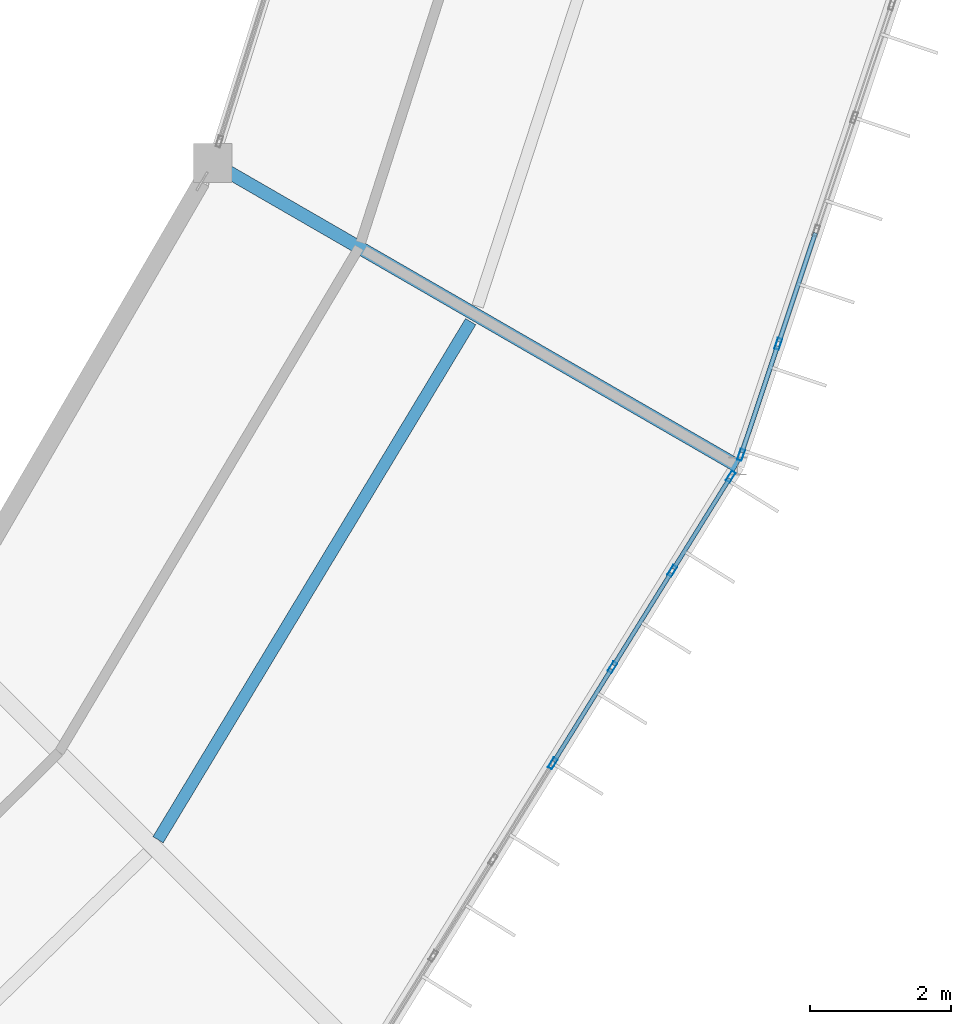
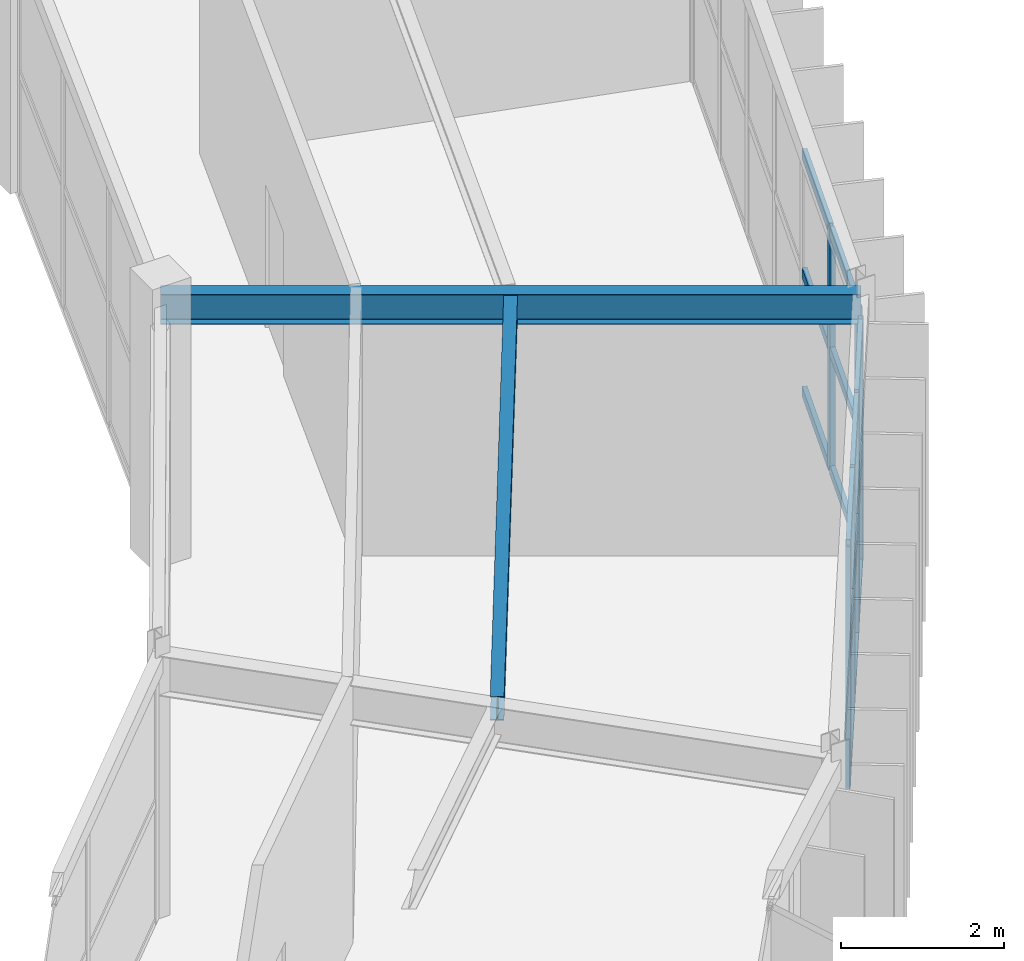
# One storey, part 63 of 157: 21 members, 2 beams, 2 elements without a shape of their own.
"""IFC4 building model written with IfcOpenShell, lengths in metres."""

from ifc_helpers import new_model, si_unit, direction, frame, origin, origin_2d, place, context, subcontext, project, spatial, hollow_rectangle, i_section, extrude, material, material_profile, profile_set, type_object, element, aggregate, save


model = new_model("IFC4")

# Units and contexts
model_context = context("Model", 3, precision=1e-05, world=origin(), true_north=direction((0.0, 1.0)))
body_context = subcontext(model_context, "Body", "Model", "MODEL_VIEW")
ifc_project = project(units=[si_unit("LENGTHUNIT", "METRE"), si_unit("AREAUNIT", "SQUARE_METRE"), si_unit("VOLUMEUNIT", "CUBIC_METRE"), si_unit("PLANEANGLEUNIT", "RADIAN"), si_unit("MASSUNIT", "GRAM", prefix="KILO")], contexts=[model_context])

# Site, building, storey
site_placement = place(None, origin())
site = spatial("IfcSite", under=ifc_project, at=site_placement, CompositionType="ELEMENT")
building_placement = place(site_placement, origin())
building = spatial("IfcBuilding", under=site, at=building_placement, Name="Karori Crest Natural Sciences Institute", CompositionType="ELEMENT")
storey_placement = place(building_placement, frame((0.0, 0.0, 13.300048828125)))
storey = spatial("IfcBuildingStorey", under=building, at=storey_placement, Name="L03", CompositionType="ELEMENT", Elevation=13.300048828125)

# Beams
ifc_material_1 = material(Name="Structural steel AS/NZS 3679.1 Grade 350", Category="steel")
ifc_material_profile_1 = material_profile(ifc_material_1, i_section(OverallWidth=0.18994140625, OverallDepth=0.4541015625, WebThickness=0.008544921875, FlangeThickness=0.0126953125, FilletRadius=0.010986328125, at=origin_2d()), Name="460UB67.1")
ifc_profile_set_1 = profile_set([ifc_material_profile_1], Name="Structural steel AS/NZS 3679.1 Grade 350")
beam_type_1 = type_object("IfcBeamType", Name="BT-28", PredefinedType="BEAM", material=ifc_profile_set_1)
beam_1_placement = place(storey_placement, frame((87.531005859375, 33.800048828125, 3.712890625), z_axis=(0.866021068297, -0.500007509209, 0.0), x_axis=(0.500007509209, 0.866021068297, 0.0)))
element("IfcBeam", 1, at=beam_1_placement, inside=storey, type_object=beam_type_1, Name="Beam B-0446", PredefinedType="BEAM", context=body_context, shape_type="SweptSolid", body=[
    extrude(i_section(OverallWidth=0.18994140625, OverallDepth=0.4541015625, WebThickness=0.008544921875, FlangeThickness=0.0126953125, FilletRadius=0.010986328125, at=origin_2d()), origin(), (0.0, 0.0, 1.0), 8.599853515625),
])
ifc_material_profile_2 = material_profile(ifc_material_1, i_section(OverallWidth=0.1708984375, OverallDepth=0.35595703125, WebThickness=0.00732421875, FlangeThickness=0.011474609375, FilletRadius=0.010986328125, at=origin_2d()), Name="360UB50.7")
ifc_profile_set_2 = profile_set([ifc_material_profile_2], Name="Structural steel AS/NZS 3679.1 Grade 350")
beam_type_2 = type_object("IfcBeamType", Name="BT-30", PredefinedType="BEAM", material=ifc_profile_set_2)
beam_2_placement = place(storey_placement, frame((86.755859375, 24.193359375, 3.761962890625), z_axis=(0.516601017309, 0.856226248672, 0.0), x_axis=(-0.856226248672, 0.516601017309, 0.0)))
element("IfcBeam", 2, at=beam_2_placement, inside=storey, type_object=beam_type_2, Name="Beam B-0443", PredefinedType="BEAM", context=body_context, shape_type="SweptSolid", body=[
    extrude(i_section(OverallWidth=0.1708984375, OverallDepth=0.35595703125, WebThickness=0.00732421875, FlangeThickness=0.011474609375, FilletRadius=0.010986328125, at=origin_2d()), origin(), (0.0, 0.0, 1.0), 8.5888671875),
])

# Curtain wall, members
ifc_material_2 = material(Name="Anodised architectural aluminium 6063-T6", Category="aluminium")
curtain_wall_type_1 = type_object("IfcCurtainWallType", Name="CWT-02", PredefinedType="NOTDEFINED", material=ifc_material_2)
curtain_wall_1_placement = place(storey_placement, origin())
curtain_wall_1 = element("IfcCurtainWall", 3, at=curtain_wall_1_placement, inside=storey, type_object=curtain_wall_type_1, Name="Curtain wall CW-0132", PredefinedType="NOTDEFINED")
ifc_material_profile_3 = material_profile(ifc_material_2, hollow_rectangle(XDim=0.06494140625, YDim=0.159912109375, WallThickness=0.00390625, at=origin_2d()), Name="CWM160x65x4")
ifc_profile_set_3 = profile_set([ifc_material_profile_3], Name="Anodised architectural aluminium 6063-T6")
member_type_1 = type_object("IfcMemberType", Name="CWM-01", PredefinedType="MULLION", material=ifc_profile_set_3)
member_1_placement = place(storey_placement, frame((94.8837890625, 29.34716796875, 0.0), z_axis=(0.0, 0.0, 1.0), x_axis=(0.849664350398, -0.527323896352, 0.0)))
member_1 = element("IfcMember", 4, at=member_1_placement, type_object=member_type_1, Name="CW-0132 mullion 1", PredefinedType="MULLION", context=body_context, shape_type="SweptSolid", body=[
    extrude(hollow_rectangle(XDim=0.06494140625, YDim=0.159912109375, WallThickness=0.00390625, at=origin_2d()), origin(), (0.0, 0.0, 1.0), 3.625),
])
member_2_placement = place(storey_placement, frame((94.05322265625, 28.008544921875, 0.0), z_axis=(0.0, 0.0, 1.0), x_axis=(0.849664350398, -0.527323896352, 0.0)))
member_2 = element("IfcMember", 5, at=member_2_placement, type_object=member_type_1, Name="CW-0132 mullion 2", PredefinedType="MULLION", context=body_context, shape_type="SweptSolid", body=[
    extrude(hollow_rectangle(XDim=0.06494140625, YDim=0.159912109375, WallThickness=0.00390625, at=origin_2d()), origin(), (0.0, 0.0, 1.0), 3.625),
])
member_3_placement = place(storey_placement, frame((93.205322265625, 26.642578125, 0.0), z_axis=(0.0, 0.0, 1.0), x_axis=(0.849664350398, -0.527323896352, 0.0)))
member_3 = element("IfcMember", 6, at=member_3_placement, type_object=member_type_1, Name="CW-0132 mullion 3", PredefinedType="MULLION", context=body_context, shape_type="SweptSolid", body=[
    extrude(hollow_rectangle(XDim=0.06494140625, YDim=0.159912109375, WallThickness=0.00390625, at=origin_2d()), origin(), (0.0, 0.0, 1.0), 3.625),
])
member_4_placement = place(storey_placement, frame((92.357666015625, 25.276611328125, 0.0), z_axis=(0.0, 0.0, 1.0), x_axis=(0.849664350398, -0.527323896352, 0.0)))
member_4 = element("IfcMember", 7, at=member_4_placement, type_object=member_type_1, Name="CW-0132 mullion 4", PredefinedType="MULLION", context=body_context, shape_type="SweptSolid", body=[
    extrude(hollow_rectangle(XDim=0.06494140625, YDim=0.159912109375, WallThickness=0.00390625, at=origin_2d()), origin(), (0.0, 0.0, 1.0), 3.625),
])

curtain_wall_type_2 = type_object("IfcCurtainWallType", Name="CWT-03", PredefinedType="NOTDEFINED", material=ifc_material_2)
curtain_wall_2_placement = place(storey_placement, origin())
curtain_wall_2 = element("IfcCurtainWall", 8, at=curtain_wall_2_placement, inside=storey, type_object=curtain_wall_type_2, Name="Curtain wall CW-0133", PredefinedType="NOTDEFINED")
member_5_placement = place(storey_placement, frame((95.558837890625, 31.231201171875, 0.0), z_axis=(0.0, 0.0, 1.0), x_axis=(0.94819805026, -0.317679803392, 0.0)))
member_5 = element("IfcMember", 9, at=member_5_placement, type_object=member_type_1, Name="CW-0133 mullion 6", PredefinedType="MULLION", context=body_context, shape_type="SweptSolid", body=[
    extrude(hollow_rectangle(XDim=0.06494140625, YDim=0.159912109375, WallThickness=0.00390625, at=origin_2d()), origin(), (0.0, 0.0, 1.0), 3.625),
])
member_6_placement = place(storey_placement, frame((95.031005859375, 29.656005859375, 0.0), z_axis=(0.0, 0.0, 1.0), x_axis=(0.94819805026, -0.317679803392, 0.0)))
member_6 = element("IfcMember", 10, at=member_6_placement, type_object=member_type_1, Name="CW-0133 mullion 7", PredefinedType="MULLION", context=body_context, shape_type="SweptSolid", body=[
    extrude(hollow_rectangle(XDim=0.06494140625, YDim=0.159912109375, WallThickness=0.00390625, at=origin_2d()), origin(), (0.0, 0.0, 1.0), 3.625),
])

# Member
ifc_material_profile_4 = material_profile(ifc_material_2, hollow_rectangle(XDim=0.06005859375, YDim=0.1201171875, WallThickness=0.00390625, at=origin_2d()), Name="CWT120x60x4")
ifc_profile_set_4 = profile_set([ifc_material_profile_4], Name="Anodised architectural aluminium 6063-T6")
member_type_2 = type_object("IfcMemberType", Name="CWT-TR1", PredefinedType="USERDEFINED", material=ifc_profile_set_4)
member_7_placement = place(storey_placement, frame((94.86669921875, 29.319580078125, 0.030029296875), z_axis=(-0.527250198919, -0.849710084523, 0.0), x_axis=(0.849710084523, -0.527250198919, 0.0)))
member_7 = element("IfcMember", 11, at=member_7_placement, type_object=member_type_2, Name="CW-0132 transom 1.1", ObjectType="TRANSOM", PredefinedType="USERDEFINED", context=body_context, shape_type="SweptSolid", body=[
    extrude(hollow_rectangle(XDim=0.06005859375, YDim=0.1201171875, WallThickness=0.00390625, at=origin_2d()), origin(), (0.0, 0.0, 1.0), 1.510498046875),
])

member_8_placement = place(storey_placement, frame((94.86669921875, 29.319580078125, 1.8125), z_axis=(-0.527250198919, -0.849710084523, 0.0), x_axis=(0.849710084523, -0.527250198919, 0.0)))
member_8 = element("IfcMember", 12, at=member_8_placement, type_object=member_type_2, Name="CW-0132 transom 1.2", ObjectType="TRANSOM", PredefinedType="USERDEFINED", context=body_context, shape_type="SweptSolid", body=[
    extrude(hollow_rectangle(XDim=0.06005859375, YDim=0.1201171875, WallThickness=0.00390625, at=origin_2d()), origin(), (0.0, 0.0, 1.0), 1.510498046875),
])

member_9_placement = place(storey_placement, frame((94.86669921875, 29.319580078125, 3.594970703125), z_axis=(-0.527250198919, -0.849710084523, 0.0), x_axis=(0.849710084523, -0.527250198919, 0.0)))
member_9 = element("IfcMember", 13, at=member_9_placement, type_object=member_type_2, Name="CW-0132 transom 1.3", ObjectType="TRANSOM", PredefinedType="USERDEFINED", context=body_context, shape_type="SweptSolid", body=[
    extrude(hollow_rectangle(XDim=0.06005859375, YDim=0.1201171875, WallThickness=0.00390625, at=origin_2d()), origin(), (0.0, 0.0, 1.0), 1.510498046875),
])

member_10_placement = place(storey_placement, frame((94.0361328125, 27.98095703125, 0.030029296875), z_axis=(-0.527421946724, -0.849603489937, 0.0), x_axis=(0.849603489937, -0.527421946724, 0.0)))
member_10 = element("IfcMember", 14, at=member_10_placement, type_object=member_type_2, Name="CW-0132 transom 2.1", ObjectType="TRANSOM", PredefinedType="USERDEFINED", context=body_context, shape_type="SweptSolid", body=[
    extrude(hollow_rectangle(XDim=0.06005859375, YDim=0.1201171875, WallThickness=0.00390625, at=origin_2d()), origin(), (0.0, 0.0, 1.0), 1.542724609375),
])

member_11_placement = place(storey_placement, frame((94.0361328125, 27.98095703125, 1.8125), z_axis=(-0.527421946724, -0.849603489937, 0.0), x_axis=(0.849603489937, -0.527421946724, 0.0)))
member_11 = element("IfcMember", 15, at=member_11_placement, type_object=member_type_2, Name="CW-0132 transom 2.2", ObjectType="TRANSOM", PredefinedType="USERDEFINED", context=body_context, shape_type="SweptSolid", body=[
    extrude(hollow_rectangle(XDim=0.06005859375, YDim=0.1201171875, WallThickness=0.00390625, at=origin_2d()), origin(), (0.0, 0.0, 1.0), 1.542724609375),
])

member_12_placement = place(storey_placement, frame((94.0361328125, 27.98095703125, 3.594970703125), z_axis=(-0.527421946724, -0.849603489937, 0.0), x_axis=(0.849603489937, -0.527421946724, 0.0)))
member_12 = element("IfcMember", 16, at=member_12_placement, type_object=member_type_2, Name="CW-0132 transom 2.3", ObjectType="TRANSOM", PredefinedType="USERDEFINED", context=body_context, shape_type="SweptSolid", body=[
    extrude(hollow_rectangle(XDim=0.06005859375, YDim=0.1201171875, WallThickness=0.00390625, at=origin_2d()), origin(), (0.0, 0.0, 1.0), 1.542724609375),
])

member_13_placement = place(storey_placement, frame((93.188232421875, 26.614990234375, 0.030029296875), z_axis=(-0.527307708925, -0.849674396524, 0.0), x_axis=(0.849674396524, -0.527307708925, 0.0)))
member_13 = element("IfcMember", 17, at=member_13_placement, type_object=member_type_2, Name="CW-0132 transom 3.1", ObjectType="TRANSOM", PredefinedType="USERDEFINED", context=body_context, shape_type="SweptSolid", body=[
    extrude(hollow_rectangle(XDim=0.06005859375, YDim=0.1201171875, WallThickness=0.00390625, at=origin_2d()), origin(), (0.0, 0.0, 1.0), 1.542724609375),
])

member_14_placement = place(storey_placement, frame((93.188232421875, 26.614990234375, 1.8125), z_axis=(-0.527307708925, -0.849674396524, 0.0), x_axis=(0.849674396524, -0.527307708925, 0.0)))
member_14 = element("IfcMember", 18, at=member_14_placement, type_object=member_type_2, Name="CW-0132 transom 3.2", ObjectType="TRANSOM", PredefinedType="USERDEFINED", context=body_context, shape_type="SweptSolid", body=[
    extrude(hollow_rectangle(XDim=0.06005859375, YDim=0.1201171875, WallThickness=0.00390625, at=origin_2d()), origin(), (0.0, 0.0, 1.0), 1.542724609375),
])

member_15_placement = place(storey_placement, frame((93.188232421875, 26.614990234375, 3.594970703125), z_axis=(-0.527307708925, -0.849674396524, 0.0), x_axis=(0.849674396524, -0.527307708925, 0.0)))
member_15 = element("IfcMember", 19, at=member_15_placement, type_object=member_type_2, Name="CW-0132 transom 3.3", ObjectType="TRANSOM", PredefinedType="USERDEFINED", context=body_context, shape_type="SweptSolid", body=[
    extrude(hollow_rectangle(XDim=0.06005859375, YDim=0.1201171875, WallThickness=0.00390625, at=origin_2d()), origin(), (0.0, 0.0, 1.0), 1.542724609375),
])

aggregate(curtain_wall_1, [member_1, member_2, member_3, member_4, member_7, member_8, member_9, member_10, member_11, member_12, member_13, member_14, member_15])

ifc_material_profile_5 = material_profile(ifc_material_2, hollow_rectangle(XDim=0.06494140625, YDim=0.14990234375, WallThickness=0.00390625, at=origin_2d()), Name="CWT150x65x4")
ifc_profile_set_5 = profile_set([ifc_material_profile_5], Name="Anodised architectural aluminium 6063-T6")
member_type_3 = type_object("IfcMemberType", Name="CWT-TR2", PredefinedType="USERDEFINED", material=ifc_profile_set_5)
member_16_placement = place(storey_placement, frame((96.08642578125, 32.806396484375, 0.032470703125), z_axis=(-0.317621421426, -0.948217608279, 0.0), x_axis=(0.948217608279, -0.317621421426, 0.0)))
member_16 = element("IfcMember", 20, at=member_16_placement, type_object=member_type_3, Name="CW-0133 transom 5.1", ObjectType="TRANSOM", PredefinedType="USERDEFINED", context=body_context, shape_type="SweptSolid", body=[
    extrude(hollow_rectangle(XDim=0.06494140625, YDim=0.14990234375, WallThickness=0.00390625, at=origin_2d()), origin(), (0.0, 0.0, 1.0), 1.628662109375),
])

member_17_placement = place(storey_placement, frame((96.08642578125, 32.806396484375, 1.8125), z_axis=(-0.317621421426, -0.948217608279, 0.0), x_axis=(0.948217608279, -0.317621421426, 0.0)))
member_17 = element("IfcMember", 21, at=member_17_placement, type_object=member_type_3, Name="CW-0133 transom 5.2", ObjectType="TRANSOM", PredefinedType="USERDEFINED", context=body_context, shape_type="SweptSolid", body=[
    extrude(hollow_rectangle(XDim=0.06494140625, YDim=0.14990234375, WallThickness=0.00390625, at=origin_2d()), origin(), (0.0, 0.0, 1.0), 1.628662109375),
])

member_18_placement = place(storey_placement, frame((96.08642578125, 32.806396484375, 3.592529296875), z_axis=(-0.317621421426, -0.948217608279, 0.0), x_axis=(0.948217608279, -0.317621421426, 0.0)))
member_18 = element("IfcMember", 22, at=member_18_placement, type_object=member_type_3, Name="CW-0133 transom 5.3", ObjectType="TRANSOM", PredefinedType="USERDEFINED", context=body_context, shape_type="SweptSolid", body=[
    extrude(hollow_rectangle(XDim=0.06494140625, YDim=0.14990234375, WallThickness=0.00390625, at=origin_2d()), origin(), (0.0, 0.0, 1.0), 1.628662109375),
])

member_19_placement = place(storey_placement, frame((95.54833984375, 31.2001953125, 0.032470703125), z_axis=(-0.317695793379, -0.9481926929, 0.0), x_axis=(0.9481926929, -0.317695793379, 0.0)))
member_19 = element("IfcMember", 23, at=member_19_placement, type_object=member_type_3, Name="CW-0133 transom 6.1", ObjectType="TRANSOM", PredefinedType="USERDEFINED", context=body_context, shape_type="SweptSolid", body=[
    extrude(hollow_rectangle(XDim=0.06494140625, YDim=0.14990234375, WallThickness=0.00390625, at=origin_2d()), origin(), (0.0, 0.0, 1.0), 1.59619140625),
])

member_20_placement = place(storey_placement, frame((95.54833984375, 31.2001953125, 1.8125), z_axis=(-0.317695793379, -0.9481926929, 0.0), x_axis=(0.9481926929, -0.317695793379, 0.0)))
member_20 = element("IfcMember", 24, at=member_20_placement, type_object=member_type_3, Name="CW-0133 transom 6.2", ObjectType="TRANSOM", PredefinedType="USERDEFINED", context=body_context, shape_type="SweptSolid", body=[
    extrude(hollow_rectangle(XDim=0.06494140625, YDim=0.14990234375, WallThickness=0.00390625, at=origin_2d()), origin(), (0.0, 0.0, 1.0), 1.59619140625),
])

member_21_placement = place(storey_placement, frame((95.54833984375, 31.2001953125, 3.592529296875), z_axis=(-0.317695793379, -0.9481926929, 0.0), x_axis=(0.9481926929, -0.317695793379, 0.0)))
member_21 = element("IfcMember", 25, at=member_21_placement, type_object=member_type_3, Name="CW-0133 transom 6.3", ObjectType="TRANSOM", PredefinedType="USERDEFINED", context=body_context, shape_type="SweptSolid", body=[
    extrude(hollow_rectangle(XDim=0.06494140625, YDim=0.14990234375, WallThickness=0.00390625, at=origin_2d()), origin(), (0.0, 0.0, 1.0), 1.59619140625),
])

aggregate(curtain_wall_2, [member_5, member_6, member_16, member_17, member_18, member_19, member_20, member_21])

save(model, "model.ifc")
